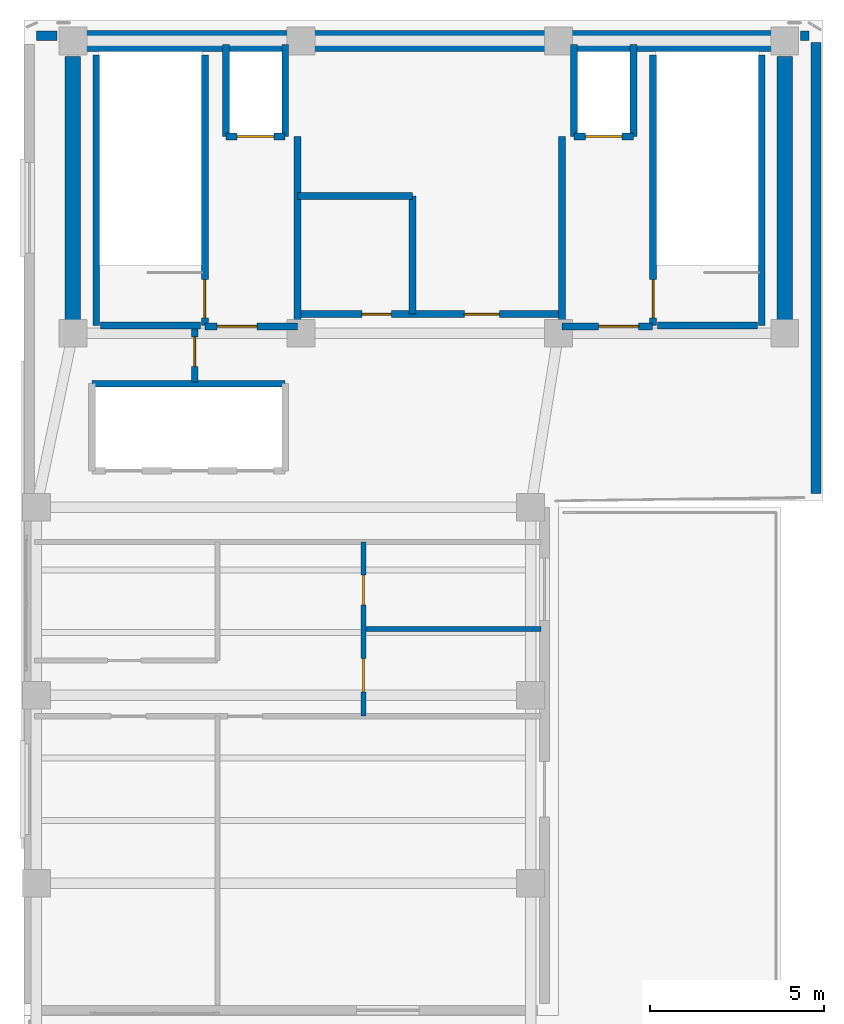
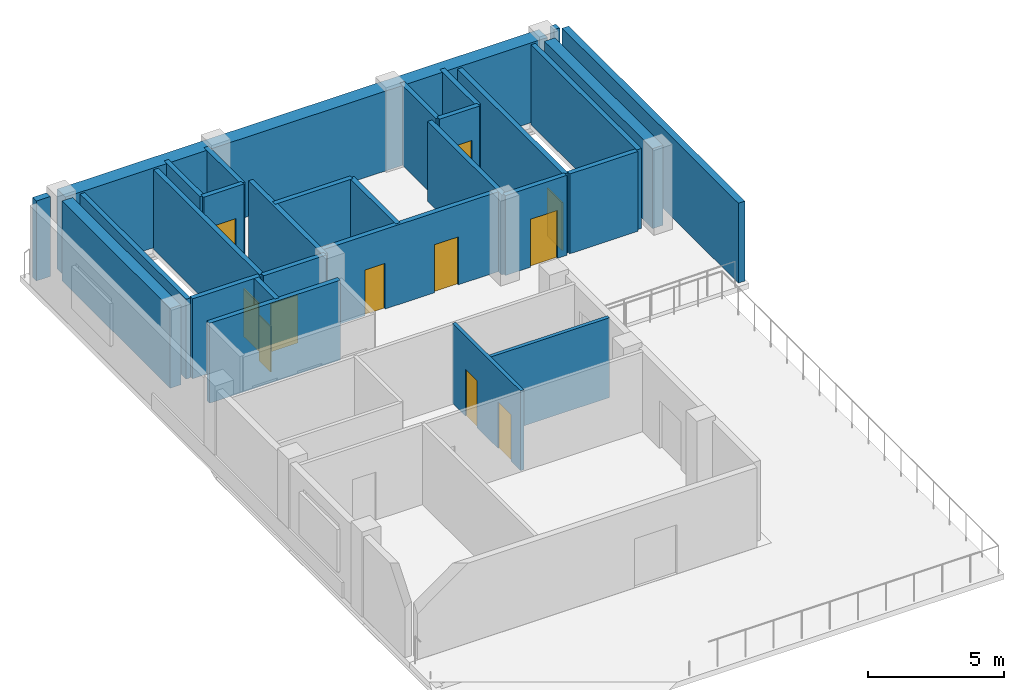
# One storey, part 6 of 7: 29 walls, 11 doors, 11 openings.
"""IFC4 building model written with IfcOpenShell, lengths in metres."""

from ifc_helpers import new_model, si_unit, direction, frame, frame_2d, origin, place, context, subcontext, project, spatial, rectangle, extrude, material, layer, layer_set, type_object, element, fill, save


model = new_model("IFC4")

# Units and contexts
model_context = context("Model", 3, precision=1e-05, world=origin(), true_north=direction((0.0, 1.0)))
body_context = subcontext(model_context, "Body", "Model", "MODEL_VIEW")
ifc_project = project(units=[si_unit("LENGTHUNIT", "METRE"), si_unit("AREAUNIT", "SQUARE_METRE"), si_unit("VOLUMEUNIT", "CUBIC_METRE"), si_unit("PLANEANGLEUNIT", "RADIAN"), si_unit("MASSUNIT", "GRAM", prefix="KILO")], contexts=[model_context])

# Site, building, storey
site_placement = place(None, origin())
site = spatial("IfcSite", under=ifc_project, at=site_placement, CompositionType="ELEMENT")
building_placement = place(site_placement, origin())
building = spatial("IfcBuilding", under=site, at=building_placement, Name="Kuzgunbayir Cultural Tower", CompositionType="ELEMENT")
storey_placement = place(building_placement, frame((0.0, 0.0, 250.39990234375)))
storey = spatial("IfcBuildingStorey", under=building, at=storey_placement, Name="L74", CompositionType="ELEMENT", Elevation=250.39990234375)

# Walls
ifc_material_1 = material(Name="Concrete C50/60", Category="concrete")
ifc_layer_1 = layer(ifc_material_1, 0.449951171875)
ifc_layer_set_1 = layer_set([ifc_layer_1], Name="Concrete C50/60")
wall_type_1 = type_object("IfcWallType", Name="WAL-CORE-450", PredefinedType="SHEAR", material=ifc_layer_set_1)
for number, where, z_axis, x_axis, name in (
    (1, (6.449951171875, 33.800048828125, 0.0), (0.0, 0.0, 1.0), (0.0, 1.0, 0.0), "L74 T1 Core West Shear Wall"),
    (2, (26.89990234375, 33.800048828125, 0.0), (0.0, 0.0, 1.0), (0.0, 1.0, 0.0), "L74 T1 Core East Shear Wall"),
):
    element("IfcWall", number, at=place(storey_placement, frame(where, z_axis=z_axis, x_axis=x_axis)), inside=storey, type_object=wall_type_1, Name=name, PredefinedType="SHEAR", context=body_context, shape_type="SweptSolid", body=[
        extrude(rectangle(XDim=7.949951171875, YDim=0.449951171875, at=frame_2d((3.97509765625, 0.0))), origin(), (0.0, 0.0, 1.0), 3.580078125),
    ])
ifc_material_2 = material(Name="Concrete C60/75", Category="concrete")
ifc_layer_2 = layer(ifc_material_2, 0.60009765625)
ifc_layer_set_2 = layer_set([ifc_layer_2], Name="Concrete C60/75")
wall_type_2 = type_object("IfcWallType", Name="WAL-CORE-600", PredefinedType="SHEAR", material=ifc_layer_set_2)
wall_1_placement = place(storey_placement, frame((6.449951171875, 42.199951171875, 0.0), z_axis=(0.0, 0.0, 1.0), x_axis=(1.0, 0.0, 0.0)))
element("IfcWall", 3, at=wall_1_placement, inside=storey, type_object=wall_type_2, Name="L74 T1 Core North Shear Wall", PredefinedType="SHEAR", context=body_context, shape_type="SweptSolid", body=[
    extrude(rectangle(XDim=20.449951171875, YDim=0.60009765625, at=frame_2d((10.22509765625, 0.0))), origin(), (0.0, 0.0, 1.0), 3.580078125),
])
ifc_material_3 = material(Name="Anatolian Cream Limestone", Category="masonry")
ifc_layer_3 = layer(ifc_material_3, 0.280029296875)
ifc_layer_set_3 = layer_set([ifc_layer_3], Name="Anatolian Cream Limestone")
wall_type_3 = type_object("IfcWallType", Name="WAL-EXT-STONE-280", PredefinedType="STANDARD", material=ifc_layer_set_3)
wall_2_placement = place(storey_placement, frame((27.60009765625, 42.35009765625, 0.0), z_axis=(0.0, 0.0, 1.0), x_axis=(-1.0, 0.0, 0.0)))
element("IfcWall", 4, at=wall_2_placement, inside=storey, type_object=wall_type_3, Name="L74 North Wing B Limestone Wall", PredefinedType="STANDARD", context=body_context, shape_type="SweptSolid", body=[
    extrude(rectangle(XDim=0.25, YDim=0.280029296875, at=frame_2d((0.125, 0.0))), origin(), (0.0, 0.0, 1.0), 3.580078125),
])
wall_3_placement = place(storey_placement, frame((6.0, 42.35009765625, 0.0), z_axis=(0.0, 0.0, 1.0), x_axis=(-1.0, 0.0, 0.0)))
element("IfcWall", 5, at=wall_3_placement, inside=storey, type_object=wall_type_3, Name="L74 Core North-West Spandrel Link", PredefinedType="STANDARD", context=body_context, shape_type="SweptSolid", body=[
    extrude(rectangle(XDim=0.60009765625, YDim=0.280029296875, at=frame_2d((0.300048828125, 0.0))), origin(), (0.0, 0.0, 1.0), 3.580078125),
])
wall_4_placement = place(storey_placement, frame((27.800048828125, 29.199951171875, 0.0), z_axis=(0.0, 0.0, 1.0), x_axis=(0.0, 1.0, 0.0)))
element("IfcWall", 6, at=wall_4_placement, inside=storey, type_object=wall_type_3, Name="L74 Rear Core East Limestone Wall", PredefinedType="STANDARD", context=body_context, shape_type="SweptSolid", body=[
    extrude(rectangle(XDim=12.949951171875, YDim=0.280029296875, at=frame_2d((6.47509765625, 0.0))), origin(), (0.0, 0.0, 1.0), 3.580078125),
])

# Wall, openings, doors
ifc_material_4 = material(Name="Acoustic Double-Stud Drywall", Category="gypsum")
ifc_layer_4 = layer(ifc_material_4, 0.14990234375)
ifc_layer_set_4 = layer_set([ifc_layer_4], Name="Acoustic Double-Stud Drywall")
wall_type_4 = type_object("IfcWallType", Name="WAL-PART-ACOUSTIC-150", PredefinedType="PARTITIONING", material=ifc_layer_set_4)
wall_5_placement = place(storey_placement, frame((14.800048828125, 22.800048828125, 0.0), z_axis=(0.0, 0.0, 1.0), x_axis=(0.0, 1.0, 0.0)))
wall_5 = element("IfcWall", 7, at=wall_5_placement, inside=storey, type_object=wall_type_4, Name="L74 Restroom West Corridor Wall", PredefinedType="PARTITIONING", context=body_context, shape_type="SweptSolid", body=[
    extrude(rectangle(XDim=5.0, YDim=0.14990234375, at=frame_2d((2.5, 0.0))), origin(), (0.0, 0.0, 1.0), 3.580078125),
])
opening_1_placement = place(wall_5_placement, frame((3.199951171875, 0.0, 0.0)))
opening_1 = element("IfcOpeningElement", 8, at=opening_1_placement, cuts=wall_5, Name="Opening DW-85", PredefinedType="OPENING", context=body_context, shape_type="SweptSolid", body=[
    extrude(rectangle(XDim=0.85009765625, YDim=2.10009765625, at=frame_2d((0.425048828125, 1.050048828125))), frame((0.0, 0.0849609375, 0.0), z_axis=(0.0, -1.0, 0.0), x_axis=(1.0, 0.0, 0.0)), (0.0, 0.0, 1.0), 0.169921875),
])
opening_2_placement = place(wall_5_placement, frame((0.699951171875, 0.0, 0.0)))
opening_2 = element("IfcOpeningElement", 9, at=opening_2_placement, cuts=wall_5, Name="Opening DW-95", PredefinedType="OPENING", context=body_context, shape_type="SweptSolid", body=[
    extrude(rectangle(XDim=0.949951171875, YDim=2.10009765625, at=frame_2d((0.47509765625, 1.050048828125))), frame((0.0, 0.0849609375, 0.0), z_axis=(0.0, -1.0, 0.0), x_axis=(1.0, 0.0, 0.0)), (0.0, 0.0, 1.0), 0.169921875),
])
ifc_material_5 = material(Name="Laminate Moisture-Resistant Leaf", Category="wood")
door_type_1 = type_object("IfcDoorType", Name="DR-WET-85", OperationType="NOTDEFINED", PredefinedType="DOOR", material=ifc_material_5)
door_1_placement = place(opening_1_placement, origin())
door_1 = element("IfcDoor", 10, at=door_1_placement, inside=storey, type_object=door_type_1, Name="L74 Visitor WC Door", OperationType="SINGLE_SWING_RIGHT", OverallHeight=2.10009765625, OverallWidth=0.85009765625, PredefinedType="DOOR", context=body_context, shape_type="SweptSolid", body=[
    extrude(rectangle(XDim=0.85009765625, YDim=2.10009765625, at=frame_2d((0.425048828125, 1.050048828125))), frame((0.0, 0.02490234375, 0.0), z_axis=(0.0, -1.0, 0.0), x_axis=(1.0, 0.0, 0.0)), (0.0, 0.0, 1.0), 0.050048828125),
])
fill(opening_1, door_1)
door_type_2 = type_object("IfcDoorType", Name="DR-WET-95", OperationType="NOTDEFINED", PredefinedType="DOOR", material=ifc_material_5)
door_2_placement = place(opening_2_placement, origin())
door_2 = element("IfcDoor", 11, at=door_2_placement, inside=storey, type_object=door_type_2, Name="L74 Accessible WC Door", OperationType="SINGLE_SWING_LEFT", OverallHeight=2.10009765625, OverallWidth=0.949951171875, PredefinedType="DOOR", context=body_context, shape_type="SweptSolid", body=[
    extrude(rectangle(XDim=0.949951171875, YDim=2.10009765625, at=frame_2d((0.47509765625, 1.050048828125))), frame((0.0, 0.02490234375, 0.0), z_axis=(0.0, -1.0, 0.0), x_axis=(1.0, 0.0, 0.0)), (0.0, 0.0, 1.0), 0.050048828125),
])
fill(opening_2, door_2)

# Wall
ifc_material_6 = material(Name="Aerated Concrete Blockwork", Category="masonry")
ifc_layer_5 = layer(ifc_material_6, 0.199951171875)
ifc_layer_set_5 = layer_set([ifc_layer_5], Name="Aerated Concrete Blockwork")
wall_type_5 = type_object("IfcWallType", Name="WAL-PART-FIRE-200", PredefinedType="PARTITIONING", material=ifc_layer_set_5)
wall_6_placement = place(storey_placement, frame((12.89990234375, 34.0, 0.0), z_axis=(0.0, 0.0, 1.0), x_axis=(0.0, 1.0, 0.0)))
element("IfcWall", 12, at=wall_6_placement, inside=storey, type_object=wall_type_5, Name="L74 FFL-1 Lobby East Fire Wall", PredefinedType="PARTITIONING", context=body_context, shape_type="SweptSolid", body=[
    extrude(rectangle(XDim=5.449951171875, YDim=0.199951171875, at=frame_2d((2.72509765625, 0.0))), origin(), (0.0, 0.0, 1.0), 3.580078125),
])

# Wall, opening, door
wall_7_placement = place(storey_placement, frame((10.239990234375, 34.0, 0.0), z_axis=(0.0, 0.0, 1.0), x_axis=(1.0, 0.0, 0.0)))
wall_7 = element("IfcWall", 13, at=wall_7_placement, inside=storey, type_object=wall_type_5, Name="L74 FFL-1 Lobby South Fire Wall", PredefinedType="PARTITIONING", context=body_context, shape_type="SweptSolid", body=[
    extrude(rectangle(XDim=2.659912109375, YDim=0.199951171875, at=frame_2d((1.330078125, 0.0))), origin(), (0.0, 0.0, 1.0), 3.580078125),
])
opening_3_placement = place(wall_7_placement, frame((0.35009765625, 0.0, 0.0)))
opening_3 = element("IfcOpeningElement", 14, at=opening_3_placement, cuts=wall_7, Name="Opening DR-FFL-90", PredefinedType="OPENING", context=body_context, shape_type="SweptSolid", body=[
    extrude(rectangle(XDim=1.14990234375, YDim=2.14990234375, at=frame_2d((0.574951171875, 1.074951171875))), frame((0.0, 0.10986328125, 0.0), z_axis=(0.0, -1.0, 0.0), x_axis=(1.0, 0.0, 0.0)), (0.0, 0.0, 1.0), 0.219970703125),
])
ifc_material_7 = material(Name="Steel S355J2", Category="steel")
door_type_3 = type_object("IfcDoorType", Name="DR-FFL-90", OperationType="NOTDEFINED", PredefinedType="DOOR", material=ifc_material_7)
door_3_placement = place(opening_3_placement, origin())
door_3 = element("IfcDoor", 15, at=door_3_placement, inside=storey, type_object=door_type_3, Name="L74 Firefighting Lobby 1 Door", OperationType="SINGLE_SWING_LEFT", OverallHeight=2.14990234375, OverallWidth=1.14990234375, PredefinedType="DOOR", context=body_context, shape_type="SweptSolid", body=[
    extrude(rectangle(XDim=1.14990234375, YDim=2.14990234375, at=frame_2d((0.574951171875, 1.074951171875))), frame((0.0, 0.02490234375, 0.0), z_axis=(0.0, -1.0, 0.0), x_axis=(1.0, 0.0, 0.0)), (0.0, 0.0, 1.0), 0.050048828125),
])
fill(opening_3, door_3)

# Wall
wall_8_placement = place(storey_placement, frame((20.5, 34.0, 0.0), z_axis=(0.0, 0.0, 1.0), x_axis=(0.0, 1.0, 0.0)))
element("IfcWall", 16, at=wall_8_placement, inside=storey, type_object=wall_type_5, Name="L74 FFL-2 Lobby West Fire Wall", PredefinedType="PARTITIONING", context=body_context, shape_type="SweptSolid", body=[
    extrude(rectangle(XDim=5.449951171875, YDim=0.199951171875, at=frame_2d((2.72509765625, 0.0))), origin(), (0.0, 0.0, 1.0), 3.580078125),
])

# Wall, opening, door
wall_9_placement = place(storey_placement, frame((20.5, 34.0, 0.0), z_axis=(0.0, 0.0, 1.0), x_axis=(1.0, 0.0, 0.0)))
wall_9 = element("IfcWall", 17, at=wall_9_placement, inside=storey, type_object=wall_type_5, Name="L74 FFL-2 Lobby South Fire Wall", PredefinedType="PARTITIONING", context=body_context, shape_type="SweptSolid", body=[
    extrude(rectangle(XDim=2.60009765625, YDim=0.199951171875, at=frame_2d((1.300048828125, 0.0))), origin(), (0.0, 0.0, 1.0), 3.580078125),
])
opening_4_placement = place(wall_9_placement, frame((1.050048828125, 0.0, 0.0)))
opening_4 = element("IfcOpeningElement", 18, at=opening_4_placement, cuts=wall_9, Name="Opening DR-FFL-90", PredefinedType="OPENING", context=body_context, shape_type="SweptSolid", body=[
    extrude(rectangle(XDim=1.14990234375, YDim=2.14990234375, at=frame_2d((0.574951171875, 1.074951171875))), frame((0.0, 0.10986328125, 0.0), z_axis=(0.0, -1.0, 0.0), x_axis=(1.0, 0.0, 0.0)), (0.0, 0.0, 1.0), 0.219970703125),
])
door_4_placement = place(opening_4_placement, origin())
door_4 = element("IfcDoor", 19, at=door_4_placement, inside=storey, type_object=door_type_3, Name="L74 Firefighting Lobby 2 Door", OperationType="SINGLE_SWING_RIGHT", OverallHeight=2.14990234375, OverallWidth=1.14990234375, PredefinedType="DOOR", context=body_context, shape_type="SweptSolid", body=[
    extrude(rectangle(XDim=1.14990234375, YDim=2.14990234375, at=frame_2d((0.574951171875, 1.074951171875))), frame((0.0, 0.02490234375, 0.0), z_axis=(0.0, -1.0, 0.0), x_axis=(1.0, 0.0, 0.0)), (0.0, 0.0, 1.0), 0.050048828125),
])
fill(opening_4, door_4)

wall_10_placement = place(storey_placement, frame((9.949951171875, 32.39990234375, 0.0), z_axis=(0.0, 0.0, 1.0), x_axis=(0.0, 1.0, 0.0)))
wall_10 = element("IfcWall", 20, at=wall_10_placement, inside=storey, type_object=wall_type_5, Name="L74 West Core Cleaner Store Wall", PredefinedType="PARTITIONING", context=body_context, shape_type="SweptSolid", body=[
    extrude(rectangle(XDim=1.52001953125, YDim=0.199951171875, at=frame_2d((0.760009765625, 0.0))), origin(), (0.0, 0.0, 1.0), 3.580078125),
])
opening_5_placement = place(wall_10_placement, frame((0.449951171875, 0.0, 0.0)))
opening_5 = element("IfcOpeningElement", 21, at=opening_5_placement, cuts=wall_10, Name="Opening DR-RSR-60", PredefinedType="OPENING", context=body_context, shape_type="SweptSolid", body=[
    extrude(rectangle(XDim=0.85009765625, YDim=2.050048828125, at=frame_2d((0.425048828125, 1.02490234375))), frame((0.0, 0.10986328125, 0.0), z_axis=(0.0, -1.0, 0.0), x_axis=(1.0, 0.0, 0.0)), (0.0, 0.0, 1.0), 0.219970703125),
])
ifc_material_8 = material(Name="Steel Access Leaf", Category="steel")
door_type_4 = type_object("IfcDoorType", Name="DR-RISER-60", OperationType="NOTDEFINED", PredefinedType="DOOR", material=ifc_material_8)
door_5_placement = place(opening_5_placement, origin())
door_5 = element("IfcDoor", 22, at=door_5_placement, inside=storey, type_object=door_type_4, Name="L74 Cleaner Store Door", OperationType="SINGLE_SWING_LEFT", OverallHeight=2.050048828125, OverallWidth=0.85009765625, PredefinedType="DOOR", context=body_context, shape_type="SweptSolid", body=[
    extrude(rectangle(XDim=0.85009765625, YDim=2.050048828125, at=frame_2d((0.425048828125, 1.02490234375))), frame((0.0, 0.02490234375, 0.0), z_axis=(0.0, -1.0, 0.0), x_axis=(1.0, 0.0, 0.0)), (0.0, 0.0, 1.0), 0.050048828125),
])
fill(opening_5, door_5)

# Wall, openings, doors
wall_11_placement = place(storey_placement, frame((12.89990234375, 34.35009765625, 0.0), z_axis=(0.0, 0.0, 1.0), x_axis=(1.0, 0.0, 0.0)))
wall_11 = element("IfcWall", 23, at=wall_11_placement, inside=storey, type_object=wall_type_5, Name="L74 Crown Core South Fire Wall", PredefinedType="PARTITIONING", context=body_context, shape_type="SweptSolid", body=[
    extrude(rectangle(XDim=7.60009765625, YDim=0.199951171875, at=frame_2d((3.800048828125, 0.0))), origin(), (0.0, 0.0, 1.0), 3.580078125),
])
opening_6_placement = place(wall_11_placement, frame((1.85009765625, 0.0, 0.0)))
opening_6 = element("IfcOpeningElement", 24, at=opening_6_placement, cuts=wall_11, Name="Opening DR-RSR-60", PredefinedType="OPENING", context=body_context, shape_type="SweptSolid", body=[
    extrude(rectangle(XDim=0.85009765625, YDim=2.050048828125, at=frame_2d((0.425048828125, 1.02490234375))), frame((0.0, 0.10986328125, 0.0), z_axis=(0.0, -1.0, 0.0), x_axis=(1.0, 0.0, 0.0)), (0.0, 0.0, 1.0), 0.219970703125),
])
opening_7_placement = place(wall_11_placement, frame((4.800048828125, 0.0, 0.0)))
opening_7 = element("IfcOpeningElement", 25, at=opening_7_placement, cuts=wall_11, Name="Opening DC-100", PredefinedType="OPENING", context=body_context, shape_type="SweptSolid", body=[
    extrude(rectangle(XDim=1.0, YDim=2.14990234375, at=frame_2d((0.5, 1.074951171875))), frame((0.0, 0.10986328125, 0.0), z_axis=(0.0, -1.0, 0.0), x_axis=(1.0, 0.0, 0.0)), (0.0, 0.0, 1.0), 0.219970703125),
])
ifc_material_9 = material(Name="Fire-Rated Veneered Oak Leaf", Category="wood")
door_type_5 = type_object("IfcDoorType", Name="DR-CORE-100", OperationType="NOTDEFINED", PredefinedType="DOOR", material=ifc_material_9)
door_6_placement = place(opening_7_placement, origin())
door_6 = element("IfcDoor", 26, at=door_6_placement, inside=storey, type_object=door_type_5, Name="L74 Crown Core Archive Door", OperationType="SINGLE_SWING_LEFT", OverallHeight=2.14990234375, OverallWidth=1.0, PredefinedType="DOOR", context=body_context, shape_type="SweptSolid", body=[
    extrude(rectangle(XDim=1.0, YDim=2.14990234375, at=frame_2d((0.5, 1.074951171875))), frame((0.0, 0.02490234375, 0.0), z_axis=(0.0, -1.0, 0.0), x_axis=(1.0, 0.0, 0.0)), (0.0, 0.0, 1.0), 0.050048828125),
])
fill(opening_7, door_6)
door_7_placement = place(opening_6_placement, origin())
door_7 = element("IfcDoor", 27, at=door_7_placement, inside=storey, type_object=door_type_4, Name="L74 Core Switchgear Closet Door", OperationType="SINGLE_SWING_RIGHT", OverallHeight=2.050048828125, OverallWidth=0.85009765625, PredefinedType="DOOR", context=body_context, shape_type="SweptSolid", body=[
    extrude(rectangle(XDim=0.85009765625, YDim=2.050048828125, at=frame_2d((0.425048828125, 1.02490234375))), frame((0.0, 0.02490234375, 0.0), z_axis=(0.0, -1.0, 0.0), x_axis=(1.0, 0.0, 0.0)), (0.0, 0.0, 1.0), 0.050048828125),
])
fill(opening_6, door_7)

# Walls
wall_12_placement = place(storey_placement, frame((16.199951171875, 34.35009765625, 0.0), z_axis=(0.0, 0.0, 1.0), x_axis=(0.0, 1.0, 0.0)))
element("IfcWall", 28, at=wall_12_placement, inside=storey, type_object=wall_type_5, Name="L74 Core Switchgear East Fire Wall", PredefinedType="PARTITIONING", context=body_context, shape_type="SweptSolid", body=[
    extrude(rectangle(XDim=3.39990234375, YDim=0.199951171875, at=frame_2d((1.699951171875, 0.0))), origin(), (0.0, 0.0, 1.0), 3.580078125),
])
wall_13_placement = place(storey_placement, frame((12.89990234375, 37.75, 0.0), z_axis=(0.0, 0.0, 1.0), x_axis=(1.0, 0.0, 0.0)))
element("IfcWall", 29, at=wall_13_placement, inside=storey, type_object=wall_type_5, Name="L74 Core Switchgear North Fire Wall", PredefinedType="PARTITIONING", context=body_context, shape_type="SweptSolid", body=[
    extrude(rectangle(XDim=3.300048828125, YDim=0.199951171875, at=frame_2d((1.64990234375, 0.0))), origin(), (0.0, 0.0, 1.0), 3.580078125),
])
ifc_material_10 = material(Name="Moisture-Resistant Tile Partition", Category="gypsum")
ifc_layer_6 = layer(ifc_material_10, 0.14990234375)
ifc_layer_set_6 = layer_set([ifc_layer_6], Name="Moisture-Resistant Tile Partition")
wall_type_6 = type_object("IfcWallType", Name="WAL-PART-WET-150", PredefinedType="PARTITIONING", material=ifc_layer_set_6)
wall_14_placement = place(storey_placement, frame((14.800048828125, 25.300048828125, 0.0), z_axis=(0.0, 0.0, 1.0), x_axis=(1.0, 0.0, 0.0)))
element("IfcWall", 30, at=wall_14_placement, inside=storey, type_object=wall_type_6, Name="L74 WC Divider", PredefinedType="PARTITIONING", context=body_context, shape_type="SweptSolid", body=[
    extrude(rectangle(XDim=5.099853515625, YDim=0.14990234375, at=frame_2d((2.5498046875, 0.0))), origin(), (0.0, 0.0, 1.0), 3.580078125),
])
ifc_material_11 = material(Name="Concrete C40/50", Category="concrete")
ifc_layer_7 = layer(ifc_material_11, 0.199951171875)
ifc_layer_set_7 = layer_set([ifc_layer_7], Name="Concrete C40/50")
wall_type_7 = type_object("IfcWallType", Name="WAL-SHAFT-200", PredefinedType="MOVABLE", material=ifc_layer_set_7)
wall_15_placement = place(storey_placement, frame((7.0, 32.35009765625, 0.0), z_axis=(0.0, 0.0, 1.0), x_axis=(1.0, 0.0, 0.0)))
element("IfcWall", 31, at=wall_15_placement, inside=storey, type_object=wall_type_7, Name="L74 High-Rise Lift Shaft North Wall", PredefinedType="MOVABLE", context=body_context, shape_type="SweptSolid", body=[
    extrude(rectangle(XDim=5.550048828125, YDim=0.199951171875, at=frame_2d((2.77490234375, 0.0))), origin(), (0.0, 0.0, 1.0), 3.580078125),
])

# Wall, opening, door
wall_16_placement = place(storey_placement, frame((10.85009765625, 39.449951171875, 0.0), z_axis=(0.0, 0.0, 1.0), x_axis=(1.0, 0.0, 0.0)))
wall_16 = element("IfcWall", 32, at=wall_16_placement, inside=storey, type_object=wall_type_7, Name="L74 FFL-1 Lift Front Wall", PredefinedType="MOVABLE", context=body_context, shape_type="SweptSolid", body=[
    extrude(rectangle(XDim=1.699951171875, YDim=0.199951171875, at=frame_2d((0.85009765625, 0.0))), origin(), (0.0, 0.0, 1.0), 3.580078125),
])
opening_8_placement = place(wall_16_placement, frame((0.320068359375, 0.0, 0.0)))
opening_8 = element("IfcOpeningElement", 33, at=opening_8_placement, cuts=wall_16, Name="Opening LD", PredefinedType="OPENING", context=body_context, shape_type="SweptSolid", body=[
    extrude(rectangle(XDim=1.050048828125, YDim=2.14990234375, at=frame_2d((0.52490234375, 1.074951171875))), frame((0.0, 0.10986328125, 0.0), z_axis=(0.0, -1.0, 0.0), x_axis=(1.0, 0.0, 0.0)), (0.0, 0.0, 1.0), 0.219970703125),
])
ifc_material_12 = material(Name="Brushed Stainless Steel", Category="steel")
door_type_6 = type_object("IfcDoorType", Name="DR-LIFT-LANDING", OperationType="SLIDING_TO_LEFT", PredefinedType="DOOR", material=ifc_material_12)
door_8_placement = place(opening_8_placement, origin())
door_8 = element("IfcDoor", 34, at=door_8_placement, inside=storey, type_object=door_type_6, Name="L74 Lift FFL-1 Landing Door", OperationType="SLIDING_TO_LEFT", OverallHeight=2.14990234375, OverallWidth=1.050048828125, PredefinedType="DOOR", context=body_context, shape_type="SweptSolid", body=[
    extrude(rectangle(XDim=1.050048828125, YDim=2.14990234375, at=frame_2d((0.52490234375, 1.074951171875))), frame((0.0, 0.02490234375, 0.0), z_axis=(0.0, -1.0, 0.0), x_axis=(1.0, 0.0, 0.0)), (0.0, 0.0, 1.0), 0.050048828125),
])
fill(opening_8, door_8)

wall_17_placement = place(storey_placement, frame((20.85009765625, 39.449951171875, 0.0), z_axis=(0.0, 0.0, 1.0), x_axis=(1.0, 0.0, 0.0)))
wall_17 = element("IfcWall", 35, at=wall_17_placement, inside=storey, type_object=wall_type_7, Name="L74 FFL-2 Lift Front Wall", PredefinedType="MOVABLE", context=body_context, shape_type="SweptSolid", body=[
    extrude(rectangle(XDim=1.699951171875, YDim=0.199951171875, at=frame_2d((0.85009765625, 0.0))), origin(), (0.0, 0.0, 1.0), 3.580078125),
])
opening_9_placement = place(wall_17_placement, frame((0.320068359375, 0.0, 0.0)))
opening_9 = element("IfcOpeningElement", 36, at=opening_9_placement, cuts=wall_17, Name="Opening LD", PredefinedType="OPENING", context=body_context, shape_type="SweptSolid", body=[
    extrude(rectangle(XDim=1.050048828125, YDim=2.14990234375, at=frame_2d((0.52490234375, 1.074951171875))), frame((0.0, 0.10986328125, 0.0), z_axis=(0.0, -1.0, 0.0), x_axis=(1.0, 0.0, 0.0)), (0.0, 0.0, 1.0), 0.219970703125),
])
door_9_placement = place(opening_9_placement, origin())
door_9 = element("IfcDoor", 37, at=door_9_placement, inside=storey, type_object=door_type_6, Name="L74 Lift FFL-2 Landing Door", OperationType="SLIDING_TO_LEFT", OverallHeight=2.14990234375, OverallWidth=1.050048828125, PredefinedType="DOOR", context=body_context, shape_type="SweptSolid", body=[
    extrude(rectangle(XDim=1.050048828125, YDim=2.14990234375, at=frame_2d((0.52490234375, 1.074951171875))), frame((0.0, 0.02490234375, 0.0), z_axis=(0.0, -1.0, 0.0), x_axis=(1.0, 0.0, 0.0)), (0.0, 0.0, 1.0), 0.050048828125),
])
fill(opening_9, door_9)

# Walls
for number, where, z_axis, x_axis, name in (
    (38, (10.85009765625, 39.449951171875, 0.0), (0.0, 0.0, 1.0), (0.0, 1.0, 0.0), "L74 FFL-1 Shaft West Wall"),
    (39, (12.550048828125, 39.449951171875, 0.0), (0.0, 0.0, 1.0), (0.0, 1.0, 0.0), "L74 FFL-1 Shaft East Wall"),
    (40, (20.85009765625, 39.449951171875, 0.0), (0.0, 0.0, 1.0), (0.0, 1.0, 0.0), "L74 FFL-2 Shaft West Wall"),
    (41, (22.550048828125, 39.449951171875, 0.0), (0.0, 0.0, 1.0), (0.0, 1.0, 0.0), "L74 FFL-2 Shaft East Wall"),
):
    element("IfcWall", number, at=place(storey_placement, frame(where, z_axis=z_axis, x_axis=x_axis)), inside=storey, type_object=wall_type_7, Name=name, PredefinedType="MOVABLE", context=body_context, shape_type="SweptSolid", body=[
        extrude(rectangle(XDim=2.650146484375, YDim=0.199951171875, at=frame_2d((1.3251953125, 0.0))), origin(), (0.0, 0.0, 1.0), 3.580078125),
    ])
ifc_layer_8 = layer(ifc_material_11, 0.199951171875)
ifc_layer_set_8 = layer_set([ifc_layer_8], Name="Concrete C40/50")
wall_type_8 = type_object("IfcWallType", Name="WAL-STAIR-RC-200", PredefinedType="SHEAR", material=ifc_layer_set_8)
wall_18_placement = place(storey_placement, frame((7.1201171875, 34.02001953125, 0.0), z_axis=(0.0, 0.0, 1.0), x_axis=(0.0, 1.0, 0.0)))
element("IfcWall", 42, at=wall_18_placement, inside=storey, type_object=wall_type_8, Name="L74 Stair ST-1 West Structural Wall", PredefinedType="SHEAR", context=body_context, shape_type="SweptSolid", body=[
    extrude(rectangle(XDim=7.780029296875, YDim=0.199951171875, at=frame_2d((3.89013671875, 0.0))), origin(), (0.0, 0.0, 1.0), 3.580078125),
])

# Wall, opening, door
wall_19_placement = place(storey_placement, frame((10.239990234375, 34.02001953125, 0.0), z_axis=(0.0, 0.0, 1.0), x_axis=(0.0, 1.0, 0.0)))
wall_19 = element("IfcWall", 43, at=wall_19_placement, inside=storey, type_object=wall_type_8, Name="L74 Stair ST-1 East Structural Wall", PredefinedType="SHEAR", context=body_context, shape_type="SweptSolid", body=[
    extrude(rectangle(XDim=7.780029296875, YDim=0.199951171875, at=frame_2d((3.89013671875, 0.0))), origin(), (0.0, 0.0, 1.0), 3.580078125),
])
opening_10_placement = place(wall_19_placement, frame((0.219970703125, 0.0, 0.0)))
opening_10 = element("IfcOpeningElement", 44, at=opening_10_placement, cuts=wall_19, Name="Opening DR-STAIR-90", PredefinedType="OPENING", context=body_context, shape_type="SweptSolid", body=[
    extrude(rectangle(XDim=1.10009765625, YDim=2.14990234375, at=frame_2d((0.550048828125, 1.074951171875))), frame((0.0, 0.10986328125, 0.0), z_axis=(0.0, -1.0, 0.0), x_axis=(1.0, 0.0, 0.0)), (0.0, 0.0, 1.0), 0.219970703125),
])
door_type_7 = type_object("IfcDoorType", Name="DR-STAIR-90", OperationType="NOTDEFINED", PredefinedType="DOOR", material=ifc_material_7)
door_10_placement = place(opening_10_placement, origin())
door_10 = element("IfcDoor", 45, at=door_10_placement, inside=storey, type_object=door_type_7, Name="L74 Stair ST-1 Fire Door", OperationType="SINGLE_SWING_RIGHT", OverallHeight=2.14990234375, OverallWidth=1.10009765625, PredefinedType="DOOR", context=body_context, shape_type="SweptSolid", body=[
    extrude(rectangle(XDim=1.10009765625, YDim=2.14990234375, at=frame_2d((0.550048828125, 1.074951171875))), frame((0.0, 0.02490234375, 0.0), z_axis=(0.0, -1.0, 0.0), x_axis=(1.0, 0.0, 0.0)), (0.0, 0.0, 1.0), 0.050048828125),
])
fill(opening_10, door_10)

# Wall
wall_20_placement = place(storey_placement, frame((7.239990234375, 34.02001953125, 0.0), z_axis=(0.0, 0.0, 1.0), x_axis=(1.0, 0.0, 0.0)))
element("IfcWall", 46, at=wall_20_placement, inside=storey, type_object=wall_type_8, Name="L74 Stair ST-1 South Structural Wall", PredefinedType="SHEAR", context=body_context, shape_type="SweptSolid", body=[
    extrude(rectangle(XDim=2.880126953125, YDim=0.199951171875, at=frame_2d((1.43994140625, 0.0))), origin(), (0.0, 0.0, 1.0), 3.580078125),
])

# Wall, opening, door
wall_21_placement = place(storey_placement, frame((23.1201171875, 34.02001953125, 0.0), z_axis=(0.0, 0.0, 1.0), x_axis=(0.0, 1.0, 0.0)))
wall_21 = element("IfcWall", 47, at=wall_21_placement, inside=storey, type_object=wall_type_8, Name="L74 Stair ST-2 West Structural Wall", PredefinedType="SHEAR", context=body_context, shape_type="SweptSolid", body=[
    extrude(rectangle(XDim=7.780029296875, YDim=0.199951171875, at=frame_2d((3.89013671875, 0.0))), origin(), (0.0, 0.0, 1.0), 3.580078125),
])
opening_11_placement = place(wall_21_placement, frame((0.219970703125, 0.0, 0.0)))
opening_11 = element("IfcOpeningElement", 48, at=opening_11_placement, cuts=wall_21, Name="Opening DR-STAIR-90", PredefinedType="OPENING", context=body_context, shape_type="SweptSolid", body=[
    extrude(rectangle(XDim=1.10009765625, YDim=2.14990234375, at=frame_2d((0.550048828125, 1.074951171875))), frame((0.0, 0.10986328125, 0.0), z_axis=(0.0, -1.0, 0.0), x_axis=(1.0, 0.0, 0.0)), (0.0, 0.0, 1.0), 0.219970703125),
])
door_11_placement = place(opening_11_placement, origin())
door_11 = element("IfcDoor", 49, at=door_11_placement, inside=storey, type_object=door_type_7, Name="L74 Stair ST-2 Fire Door", OperationType="SINGLE_SWING_RIGHT", OverallHeight=2.14990234375, OverallWidth=1.10009765625, PredefinedType="DOOR", context=body_context, shape_type="SweptSolid", body=[
    extrude(rectangle(XDim=1.10009765625, YDim=2.14990234375, at=frame_2d((0.550048828125, 1.074951171875))), frame((0.0, 0.02490234375, 0.0), z_axis=(0.0, -1.0, 0.0), x_axis=(1.0, 0.0, 0.0)), (0.0, 0.0, 1.0), 0.050048828125),
])
fill(opening_11, door_11)

# Walls
wall_22_placement = place(storey_placement, frame((26.239990234375, 34.02001953125, 0.0), z_axis=(0.0, 0.0, 1.0), x_axis=(0.0, 1.0, 0.0)))
element("IfcWall", 50, at=wall_22_placement, inside=storey, type_object=wall_type_8, Name="L74 Stair ST-2 East Structural Wall", PredefinedType="SHEAR", context=body_context, shape_type="SweptSolid", body=[
    extrude(rectangle(XDim=7.780029296875, YDim=0.199951171875, at=frame_2d((3.89013671875, 0.0))), origin(), (0.0, 0.0, 1.0), 3.580078125),
])
wall_23_placement = place(storey_placement, frame((23.239990234375, 34.02001953125, 0.0), z_axis=(0.0, 0.0, 1.0), x_axis=(1.0, 0.0, 0.0)))
element("IfcWall", 51, at=wall_23_placement, inside=storey, type_object=wall_type_8, Name="L74 Stair ST-2 South Structural Wall", PredefinedType="SHEAR", context=body_context, shape_type="SweptSolid", body=[
    extrude(rectangle(XDim=2.880126953125, YDim=0.199951171875, at=frame_2d((1.43994140625, 0.0))), origin(), (0.0, 0.0, 1.0), 3.580078125),
])

save(model, "model.ifc")
